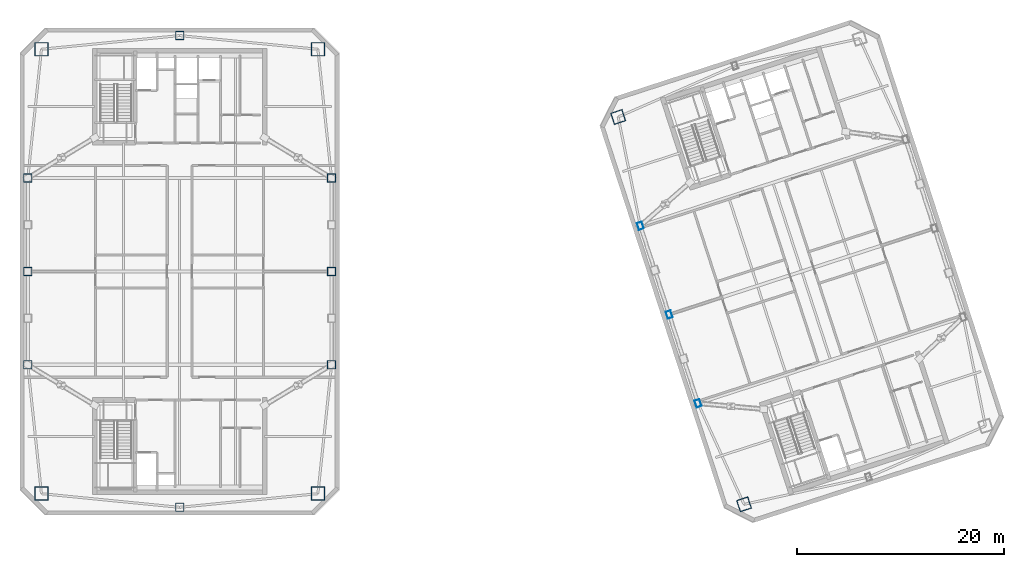
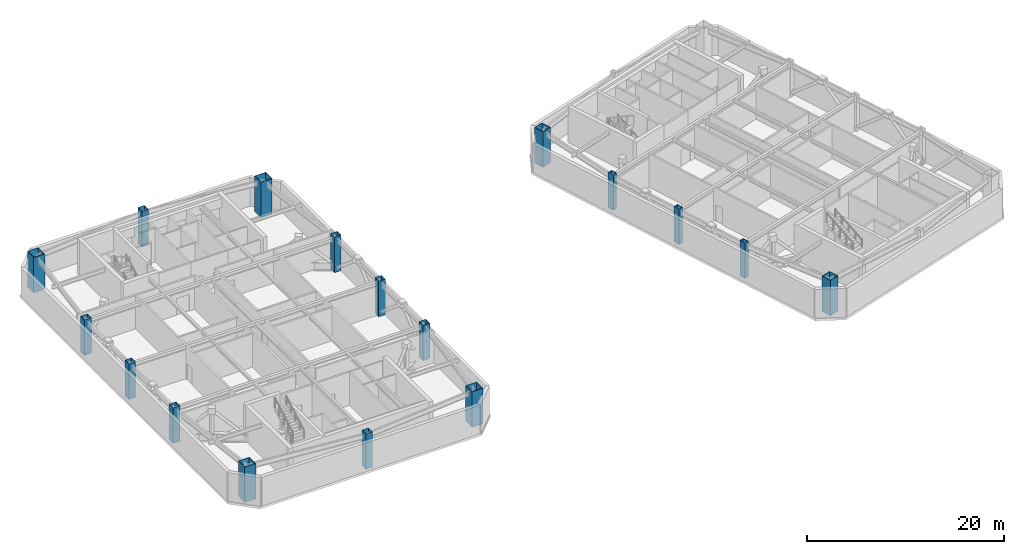
# One storey, part 1 of 17: 17 columns.
"""IFC4 building model written with IfcOpenShell, lengths in metres."""

from ifc_helpers import new_model, si_unit, direction, frame, origin, origin_2d, place, context, subcontext, project, spatial, hollow_rectangle, extrude, material, material_profile, profile_set, type_object, element, save


model = new_model("IFC4")

# Units and contexts
model_context = context("Model", 3, precision=1e-05, world=origin(), true_north=direction((0.0, 1.0)))
body_context = subcontext(model_context, "Body", "Model", "MODEL_VIEW")
ifc_project = project(units=[si_unit("LENGTHUNIT", "METRE"), si_unit("AREAUNIT", "SQUARE_METRE"), si_unit("VOLUMEUNIT", "CUBIC_METRE"), si_unit("PLANEANGLEUNIT", "RADIAN"), si_unit("MASSUNIT", "GRAM", prefix="KILO")], contexts=[model_context])

# Site, building, storey
site_placement = place(None, origin())
site = spatial("IfcSite", under=ifc_project, at=site_placement, CompositionType="ELEMENT")
building_placement = place(site_placement, origin())
building = spatial("IfcBuilding", under=site, at=building_placement, Name="Qiaolan Cultural Towers", CompositionType="ELEMENT")
storey_placement = place(building_placement, frame((0.0, 0.0, 230.0)))
storey = spatial("IfcBuildingStorey", under=building, at=storey_placement, Name="L62", CompositionType="ELEMENT", Elevation=230.0)

# Columns
ifc_material_1 = material(Name="Steel Q390GJB", Category="steel")
ifc_material_profile_1 = material_profile(ifc_material_1, hollow_rectangle(XDim=1.14990234375, YDim=1.14990234375, WallThickness=0.0400390625, at=origin_2d()), Name="BOX1150x1150x40")
ifc_profile_set_1 = profile_set([ifc_material_profile_1], Name="Steel Q390GJB")
column_type_1 = type_object("IfcColumnType", Name="COL-BOX1150x1150x40", PredefinedType="COLUMN", material=ifc_profile_set_1)
for number, where, z_axis, x_axis, name in (
    (1, (84.42822265625, 11.538818359375, 0.0), (0.0, 0.0, 1.0), (0.951056516295, 0.309016994375, 0.0), "L62 T2 Perimeter Column MC-SW"),
    (2, (72.2900390625, 48.896484375, 0.0), (0.0, 0.0, 1.0), (0.951056516295, 0.309016994375, 0.0), "L62 T2 Perimeter Column MC-NW"),
):
    element("IfcColumn", number, at=place(storey_placement, frame(where, z_axis=z_axis, x_axis=x_axis)), inside=storey, type_object=column_type_1, Name=name, PredefinedType="COLUMN", context=body_context, shape_type="SweptSolid", body=[
        extrude(hollow_rectangle(XDim=1.14990234375, YDim=1.14990234375, WallThickness=0.0400390625, at=origin_2d()), origin(), (0.0, 0.0, 1.0), 4.40087890625),
    ])
ifc_material_2 = material(Name="Steel Q390GJB", Category="steel")
ifc_material_profile_2 = material_profile(ifc_material_2, hollow_rectangle(XDim=1.300048828125, YDim=1.300048828125, WallThickness=0.044921875, at=origin_2d()), Name="BOX1300x1300x45")
ifc_profile_set_2 = profile_set([ifc_material_profile_2], Name="Steel Q390GJB")
column_type_2 = type_object("IfcColumnType", Name="COL-BOX1300x1300x45", PredefinedType="COLUMN", material=ifc_profile_set_2)
for number, where, z_axis, x_axis, name in (
    (3, (16.669921875, 12.570068359375, 0.0), (0.0, 0.0, 1.0), (1.0, 0.0, 0.0), "L62 T1 Perimeter Column MC-SW"),
    (4, (43.330078125, 12.570068359375, 0.0), (0.0, 0.0, 1.0), (1.0, 0.0, 0.0), "L62 T1 Perimeter Column MC-SE"),
    (5, (43.330078125, 55.429931640625, 0.0), (0.0, 0.0, 1.0), (1.0, 0.0, 0.0), "L62 T1 Perimeter Column MC-NE"),
    (6, (16.669921875, 55.429931640625, 0.0), (0.0, 0.0, 1.0), (1.0, 0.0, 0.0), "L62 T1 Perimeter Column MC-NW"),
):
    element("IfcColumn", number, at=place(storey_placement, frame(where, z_axis=z_axis, x_axis=x_axis)), inside=storey, type_object=column_type_2, Name=name, PredefinedType="COLUMN", context=body_context, shape_type="SweptSolid", body=[
        extrude(hollow_rectangle(XDim=1.300048828125, YDim=1.300048828125, WallThickness=0.044921875, at=origin_2d()), origin(), (0.0, 0.0, 1.0), 4.40087890625),
    ])
ifc_material_3 = material(Name="Steel Q355B", Category="steel")
ifc_material_profile_3 = material_profile(ifc_material_3, hollow_rectangle(XDim=0.5, YDim=0.699951171875, WallThickness=0.02490234375, at=origin_2d()), Name="BOX700x500x25")
ifc_profile_set_3 = profile_set([ifc_material_profile_3], Name="Steel Q355B")
column_type_3 = type_object("IfcColumnType", Name="COL-BOX700x500x25", PredefinedType="COLUMN", material=ifc_profile_set_3)
for number, where, z_axis, x_axis, name in (
    (7, (79.989501953125, 21.2841796875, 0.0), (0.0, 0.0, 1.0), (0.951056516295, 0.309016994375, 0.0), "L62 T2 Perimeter Column PC-W1"),
    (8, (77.208251953125, 29.84375, 0.0), (0.0, 0.0, 1.0), (0.951056516295, 0.309016994375, 0.0), "L62 T2 Perimeter Column PC-W2"),
    (9, (74.42724609375, 38.4033203125, 0.0), (0.0, 0.0, 1.0), (0.951056516295, 0.309016994375, 0.0), "L62 T2 Perimeter Column PC-W3"),
):
    element("IfcColumn", number, at=place(storey_placement, frame(where, z_axis=z_axis, x_axis=x_axis)), inside=storey, type_object=column_type_3, Name=name, PredefinedType="COLUMN", context=body_context, shape_type="SweptSolid", body=[
        extrude(hollow_rectangle(XDim=0.5, YDim=0.699951171875, WallThickness=0.02490234375, at=origin_2d()), origin(), (0.0, 0.0, 1.0), 4.40087890625),
    ])
ifc_material_4 = material(Name="Steel Q355B", Category="steel")
ifc_material_profile_4 = material_profile(ifc_material_4, hollow_rectangle(XDim=0.800048828125, YDim=0.800048828125, WallThickness=0.028076171875, at=origin_2d()), Name="BOX800x800x28")
ifc_profile_set_4 = profile_set([ifc_material_profile_4], Name="Steel Q355B")
column_type_4 = type_object("IfcColumnType", Name="COL-BOX800x800x28", PredefinedType="COLUMN", material=ifc_profile_set_4)
for number, where, z_axis, x_axis, name in (
    (10, (15.35009765625, 25.0, 0.0), (0.0, 0.0, 1.0), (1.0, 0.0, 0.0), "L62 T1 Perimeter Column PC-W1"),
    (11, (15.35009765625, 34.0, 0.0), (0.0, 0.0, 1.0), (1.0, 0.0, 0.0), "L62 T1 Perimeter Column PC-W2"),
    (12, (15.35009765625, 43.0, 0.0), (0.0, 0.0, 1.0), (1.0, 0.0, 0.0), "L62 T1 Perimeter Column PC-W3"),
    (13, (44.64990234375, 25.0, 0.0), (0.0, 0.0, 1.0), (1.0, 0.0, 0.0), "L62 T1 Perimeter Column PC-E1"),
    (14, (44.64990234375, 34.0, 0.0), (0.0, 0.0, 1.0), (1.0, 0.0, 0.0), "L62 T1 Perimeter Column PC-E2"),
    (15, (44.64990234375, 43.0, 0.0), (0.0, 0.0, 1.0), (1.0, 0.0, 0.0), "L62 T1 Perimeter Column PC-E3"),
    (16, (30.0, 11.25, 0.0), (0.0, 0.0, 1.0), (1.0, 0.0, 0.0), "L62 T1 Perimeter Column PC-S0"),
    (17, (30.0, 56.75, 0.0), (0.0, 0.0, 1.0), (1.0, 0.0, 0.0), "L62 T1 Perimeter Column PC-N0"),
):
    element("IfcColumn", number, at=place(storey_placement, frame(where, z_axis=z_axis, x_axis=x_axis)), inside=storey, type_object=column_type_4, Name=name, PredefinedType="COLUMN", context=body_context, shape_type="SweptSolid", body=[
        extrude(hollow_rectangle(XDim=0.800048828125, YDim=0.800048828125, WallThickness=0.028076171875, at=origin_2d()), origin(), (0.0, 0.0, 1.0), 4.40087890625),
    ])

save(model, "model.ifc")
